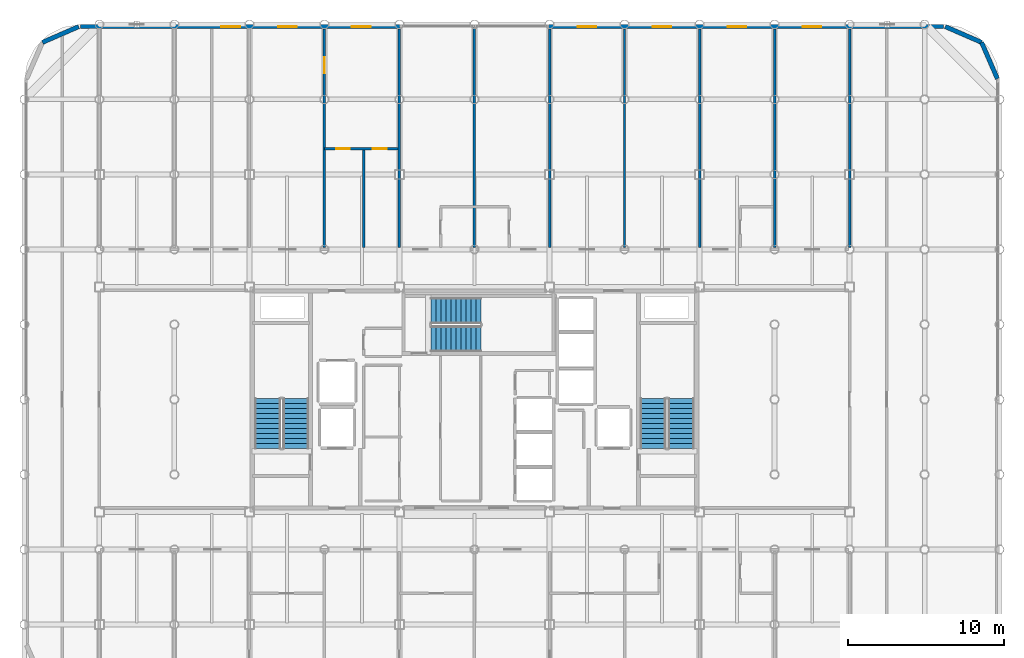
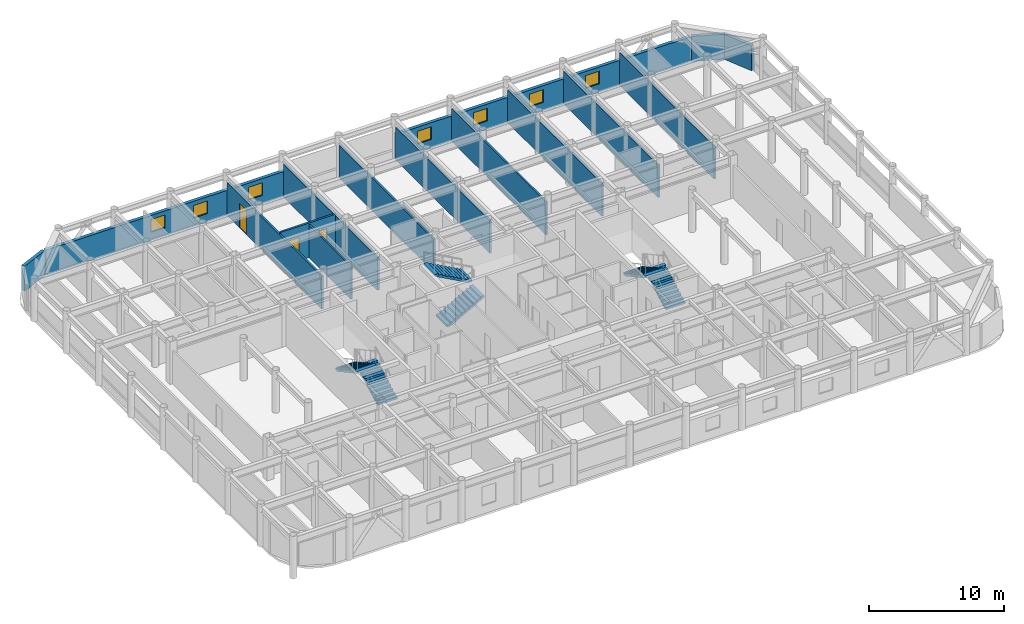
# One storey, part 22 of 23: 15 walls, 7 windows, 6 stair flights, 3 doors, 10 openings, 3 elements without a shape of their own.
"""IFC4 building model written with IfcOpenShell, lengths in metres."""

from ifc_helpers import new_model, si_unit, direction, frame, frame_2d, origin, place, context, subcontext, project, spatial, polyline, rectangle, outline, extrude, material, layer, layer_set, type_object, element, fill, aggregate, save


model = new_model("IFC4")

# Units and contexts
model_context = context("Model", 3, precision=1e-05, world=origin(), true_north=direction((0.0, 1.0)))
body_context = subcontext(model_context, "Body", "Model", "MODEL_VIEW")
ifc_project = project(units=[si_unit("LENGTHUNIT", "METRE"), si_unit("AREAUNIT", "SQUARE_METRE"), si_unit("VOLUMEUNIT", "CUBIC_METRE"), si_unit("PLANEANGLEUNIT", "RADIAN"), si_unit("MASSUNIT", "GRAM", prefix="KILO")], contexts=[model_context])

# Site, building, storey
site_placement = place(None, origin())
site = spatial("IfcSite", under=ifc_project, at=site_placement, CompositionType="ELEMENT")
building_placement = place(site_placement, origin())
building = spatial("IfcBuilding", under=site, at=building_placement, Name="Kallvorn Hotel Tower", CompositionType="ELEMENT")
storey_placement = place(building_placement, frame((0.0, 0.0, 237.699951171875)))
storey = spatial("IfcBuildingStorey", under=building, at=storey_placement, Name="L59", CompositionType="ELEMENT", Elevation=237.699951171875)

# Wall, openings, doors
ifc_material_1 = material(Name="Fire-rated double-layer acoustic gypsum drywall EI 60")
ifc_layer_1 = layer(ifc_material_1, 0.159912109375)
ifc_layer_set_1 = layer_set([ifc_layer_1], Name="WL_DEMISE_160")
wall_type_1 = type_object("IfcWallType", Name="WL_DEMISE_160", PredefinedType="PARTITIONING", material=ifc_layer_set_1)
wall_1_placement = place(storey_placement, frame((-9.60009765625, 16.050048828125, 0.0), z_axis=(0.0, 0.0, 1.0), x_axis=(1.0, 0.0, 0.0)))
wall_1 = element("IfcWall", 1, at=wall_1_placement, inside=storey, type_object=wall_type_1, Name="L59 Suite 5906 Junior Bedroom Partition", PredefinedType="PARTITIONING", context=body_context, shape_type="SweptSolid", body=[
    extrude(rectangle(XDim=4.72021484375, YDim=0.159912109375, at=frame_2d((2.360107421875, 0.0))), origin(), (0.0, 0.0, 1.0), 3.1201171875),
])
opening_1_placement = place(wall_1_placement, frame((0.75, 0.0, 0.0)))
opening_1 = element("IfcOpeningElement", 2, at=opening_1_placement, cuts=wall_1, Name="Opening BD-I", PredefinedType="OPENING", context=body_context, shape_type="SweptSolid", body=[
    extrude(rectangle(XDim=0.860107421875, YDim=2.10009765625, at=frame_2d((0.43017578125, 1.050048828125))), frame((0.0, 0.094970703125, 0.0), z_axis=(0.0, -1.0, 0.0), x_axis=(1.0, 0.0, 0.0)), (0.0, 0.0, 1.0), 0.18994140625),
])
opening_2_placement = place(wall_1_placement, frame((3.090087890625, 0.0, 0.0)))
opening_2 = element("IfcOpeningElement", 3, at=opening_2_placement, cuts=wall_1, Name="Opening SVD1", PredefinedType="OPENING", context=body_context, shape_type="SweptSolid", body=[
    extrude(rectangle(XDim=0.89990234375, YDim=2.10009765625, at=frame_2d((0.449951171875, 1.050048828125))), frame((0.0, 0.094970703125, 0.0), z_axis=(0.0, -1.0, 0.0), x_axis=(1.0, 0.0, 0.0)), (0.0, 0.0, 1.0), 0.18994140625),
])
ifc_material_2 = material(Name="Solid-core walnut veneer fire-rated timber door leaf", Category="wood")
door_type_1 = type_object("IfcDoorType", Name="DR_BATH_860x2100", OperationType="NOTDEFINED", PredefinedType="DOOR", material=ifc_material_2)
door_1_placement = place(opening_1_placement, origin())
door_1 = element("IfcDoor", 4, at=door_1_placement, inside=storey, type_object=door_type_1, Name="L59 Suite 5906 En-Suite Bathroom Door", OperationType="SINGLE_SWING_LEFT", OverallHeight=2.10009765625, OverallWidth=0.860107421875, PredefinedType="DOOR", context=body_context, shape_type="SweptSolid", body=[
    extrude(rectangle(XDim=0.860107421875, YDim=2.10009765625, at=frame_2d((0.43017578125, 1.050048828125))), frame((0.0, 0.02490234375, 0.0), z_axis=(0.0, -1.0, 0.0), x_axis=(1.0, 0.0, 0.0)), (0.0, 0.0, 1.0), 0.050048828125),
])
fill(opening_1, door_1)
ifc_material_3 = material(Name="Galvanised painted steel fire-rated door assembly", Category="steel")
door_type_2 = type_object("IfcDoorType", Name="DR_SERV_900x2100", OperationType="NOTDEFINED", PredefinedType="DOOR", material=ifc_material_3)
door_2_placement = place(opening_2_placement, origin())
door_2 = element("IfcDoor", 5, at=door_2_placement, inside=storey, type_object=door_type_2, Name="L59 Suite 5906 Walk-In Dressing Closet Door", OperationType="SINGLE_SWING_LEFT", OverallHeight=2.10009765625, OverallWidth=0.89990234375, PredefinedType="DOOR", context=body_context, shape_type="SweptSolid", body=[
    extrude(rectangle(XDim=0.89990234375, YDim=2.10009765625, at=frame_2d((0.449951171875, 1.050048828125))), frame((0.0, 0.02490234375, 0.0), z_axis=(0.0, -1.0, 0.0), x_axis=(1.0, 0.0, 0.0)), (0.0, 0.0, 1.0), 0.050048828125),
])
fill(opening_2, door_2)

# Wall, opening, door
wall_2_placement = place(storey_placement, frame((-9.60009765625, 9.719970703125, 0.0), z_axis=(0.0, 0.0, 1.0), x_axis=(0.0, 1.0, 0.0)))
wall_2 = element("IfcWall", 6, at=wall_2_placement, inside=storey, type_object=wall_type_1, Name="L59 Suite 5906 Junior Living Salon Partition", PredefinedType="PARTITIONING", context=body_context, shape_type="SweptSolid", body=[
    extrude(rectangle(XDim=13.989990234375, YDim=0.159912109375, at=frame_2d((6.9951171875, 0.0))), origin(), (0.0, 0.0, 1.0), 2.969970703125),
])
opening_3_placement = place(wall_2_placement, frame((11.136962890625, 0.0, 0.0)))
opening_3 = element("IfcOpeningElement", 7, at=opening_3_placement, cuts=wall_2, Name="Opening GD2", PredefinedType="OPENING", context=body_context, shape_type="SweptSolid", body=[
    extrude(rectangle(XDim=1.050048828125, YDim=2.199951171875, at=frame_2d((0.52490234375, 1.10009765625))), frame((0.0, 0.094970703125, 0.0), z_axis=(0.0, -1.0, 0.0), x_axis=(1.0, 0.0, 0.0)), (0.0, 0.0, 1.0), 0.18994140625),
])
ifc_material_4 = material(Name="Solid-core walnut veneer fire-rated timber door leaf", Category="wood")
door_type_3 = type_object("IfcDoorType", Name="DR_SUITE_1050x2200", OperationType="NOTDEFINED", PredefinedType="DOOR", material=ifc_material_4)
door_3_placement = place(opening_3_placement, origin())
door_3 = element("IfcDoor", 8, at=door_3_placement, inside=storey, type_object=door_type_3, Name="L59 Suite 5906 Junior Bedroom Door", OperationType="SINGLE_SWING_RIGHT", OverallHeight=2.199951171875, OverallWidth=1.050048828125, PredefinedType="DOOR", context=body_context, shape_type="SweptSolid", body=[
    extrude(rectangle(XDim=1.050048828125, YDim=2.199951171875, at=frame_2d((0.52490234375, 1.10009765625))), frame((0.0, 0.02490234375, 0.0), z_axis=(0.0, -1.0, 0.0), x_axis=(1.0, 0.0, 0.0)), (0.0, 0.0, 1.0), 0.050048828125),
])
fill(opening_3, door_3)

# Walls
wall_3_placement = place(storey_placement, frame((-4.800048828125, 9.719970703125, 0.0), z_axis=(0.0, 0.0, 1.0), x_axis=(0.0, 1.0, 0.0)))
element("IfcWall", 9, at=wall_3_placement, inside=storey, type_object=wall_type_1, Name="L59 Suite 5907 Standard King Room Partition", PredefinedType="PARTITIONING", context=body_context, shape_type="SweptSolid", body=[
    extrude(rectangle(XDim=13.989990234375, YDim=0.159912109375, at=frame_2d((6.9951171875, 0.0))), origin(), (0.0, 0.0, 1.0), 2.969970703125),
])
wall_4_placement = place(storey_placement, frame((0.0, 9.719970703125, 0.0), z_axis=(0.0, 0.0, 1.0), x_axis=(0.0, 1.0, 0.0)))
element("IfcWall", 10, at=wall_4_placement, inside=storey, type_object=wall_type_1, Name="L59 Suite 5907 Standard King Room Partition", PredefinedType="PARTITIONING", context=body_context, shape_type="SweptSolid", body=[
    extrude(rectangle(XDim=14.074951171875, YDim=0.159912109375, at=frame_2d((7.03759765625, 0.0))), origin(), (0.0, 0.0, 1.0), 2.969970703125),
])
for number, where, z_axis, x_axis, name in (
    (11, (4.800048828125, 9.719970703125, 0.0), (0.0, 0.0, 1.0), (0.0, 1.0, 0.0), "L59 Suite 5908 Standard King Room Partition"),
    (12, (14.39990234375, 9.719970703125, 0.0), (0.0, 0.0, 1.0), (0.0, 1.0, 0.0), "L59 Suite 5909 Standard Twin Room Partition"),
    (13, (19.199951171875, 9.719970703125, 0.0), (0.0, 0.0, 1.0), (0.0, 1.0, 0.0), "L59 Suite 5909 Standard Twin Room Partition"),
):
    element("IfcWall", number, at=place(storey_placement, frame(where, z_axis=z_axis, x_axis=x_axis)), inside=storey, type_object=wall_type_1, Name=name, PredefinedType="PARTITIONING", context=body_context, shape_type="SweptSolid", body=[
        extrude(rectangle(XDim=13.989990234375, YDim=0.159912109375, at=frame_2d((6.9951171875, 0.0))), origin(), (0.0, 0.0, 1.0), 2.969970703125),
    ])
ifc_material_5 = material(Name="Precast basalt-clad insulated concrete wall C40/50", Category="masonry")
ifc_layer_2 = layer(ifc_material_5, 0.280029296875)
ifc_layer_set_2 = layer_set([ifc_layer_2], Name="WL_EXT_LOGGIA_280")
wall_type_2 = type_object("IfcWallType", Name="WL_EXT_LOGGIA_280", PredefinedType="SOLIDWALL", material=ifc_layer_set_2)
wall_5_placement = place(storey_placement, frame((33.4580078125, 20.520751953125, 0.0), z_axis=(0.0, 0.0, 1.0), x_axis=(-0.398792985289, 0.917040977756, 0.0)))
element("IfcWall", 14, at=wall_5_placement, inside=storey, type_object=wall_type_2, Name="L59 Rounded Corner Exterior Wall NE1", PredefinedType="SOLIDWALL", context=body_context, shape_type="SweptSolid", body=[
    extrude(rectangle(XDim=2.536376953125, YDim=0.280029296875, at=frame_2d((1.26806640625, 0.0))), origin(), (0.0, 0.0, 1.0), 2.27001953125),
])
for number, where, z_axis, x_axis, name in (
    (15, (32.446533203125, 22.8466796875, 0.0), (0.0, 0.0, 1.0), (-0.917060872934, 0.398747232384, 0.0), "L59 Rounded Corner Exterior Wall NE2"),
    (16, (-25.32080078125, 23.85791015625, 0.0), (0.0, 0.0, 1.0), (-0.917060872934, -0.398747232384, 0.0), "L59 Rounded Corner Exterior Wall NW1"),
):
    element("IfcWall", number, at=place(storey_placement, frame(where, z_axis=z_axis, x_axis=x_axis)), inside=storey, type_object=wall_type_2, Name=name, PredefinedType="SOLIDWALL", context=body_context, shape_type="SweptSolid", body=[
        extrude(rectangle(XDim=2.5361328125, YDim=0.280029296875, at=frame_2d((1.26806640625, 0.0))), origin(), (0.0, 0.0, 1.0), 2.27001953125),
    ])

# Wall, openings, windows
wall_6_placement = place(storey_placement, frame((-25.199951171875, 23.860107421875, 0.0), z_axis=(0.0, 0.0, 1.0), x_axis=(1.0, 0.0, 0.0)))
wall_6 = element("IfcWall", 17, at=wall_6_placement, inside=storey, type_object=wall_type_2, Name="L59 Exterior Envelope Wall EW-L59-NW", PredefinedType="SOLIDWALL", context=body_context, shape_type="SweptSolid", body=[
    extrude(rectangle(XDim=20.449951171875, YDim=0.280029296875, at=frame_2d((10.22509765625, 0.0))), origin(), (0.0, 0.0, 1.0), 2.27001953125),
])
opening_4_placement = place(wall_6_placement, frame((9.0, 0.0, 0.75)))
opening_4 = element("IfcOpeningElement", 18, at=opening_4_placement, cuts=wall_6, Name="Opening W06A", PredefinedType="OPENING", context=body_context, shape_type="SweptSolid", body=[
    extrude(rectangle(XDim=1.199951171875, YDim=1.14990234375, at=frame_2d((0.60009765625, 0.574951171875))), frame((0.0, 0.155029296875, 0.0), z_axis=(0.0, -1.0, 0.0), x_axis=(1.0, 0.0, 0.0)), (0.0, 0.0, 1.0), 0.31005859375),
])
opening_5_placement = place(wall_6_placement, frame((12.639892578125, 0.0, 0.75)))
opening_5 = element("IfcOpeningElement", 19, at=opening_5_placement, cuts=wall_6, Name="Opening W06A", PredefinedType="OPENING", context=body_context, shape_type="SweptSolid", body=[
    extrude(rectangle(XDim=1.199951171875, YDim=1.14990234375, at=frame_2d((0.60009765625, 0.574951171875))), frame((0.0, 0.155029296875, 0.0), z_axis=(0.0, -1.0, 0.0), x_axis=(1.0, 0.0, 0.0)), (0.0, 0.0, 1.0), 0.31005859375),
])
opening_6_placement = place(wall_6_placement, frame((17.360107421875, 0.0, 0.75)))
opening_6 = element("IfcOpeningElement", 20, at=opening_6_placement, cuts=wall_6, Name="Opening W06A", PredefinedType="OPENING", context=body_context, shape_type="SweptSolid", body=[
    extrude(rectangle(XDim=1.199951171875, YDim=1.14990234375, at=frame_2d((0.60009765625, 0.574951171875))), frame((0.0, 0.155029296875, 0.0), z_axis=(0.0, -1.0, 0.0), x_axis=(1.0, 0.0, 0.0)), (0.0, 0.0, 1.0), 0.31005859375),
])
ifc_material_6 = material(Name="Triple-glazed low-e acoustic solar-control dark glass", Category="glass")
window_type = type_object("IfcWindowType", Name="WN_HTL_1200x1150", PartitioningType="SINGLE_PANEL", PredefinedType="WINDOW", material=ifc_material_6)
window_1_placement = place(opening_4_placement, origin())
window_1 = element("IfcWindow", 21, at=window_1_placement, inside=storey, type_object=window_type, Name="L59 Guestroom Exterior Window 09", OverallHeight=1.14990234375, OverallWidth=1.199951171875, PartitioningType="SINGLE_PANEL", PredefinedType="WINDOW", context=body_context, shape_type="SweptSolid", body=[
    extrude(rectangle(XDim=1.199951171875, YDim=1.14990234375, at=frame_2d((0.60009765625, 0.574951171875))), frame((0.0, 0.030029296875, 0.0), z_axis=(0.0, -1.0, 0.0), x_axis=(1.0, 0.0, 0.0)), (0.0, 0.0, 1.0), 0.06005859375),
])
fill(opening_4, window_1)
window_2_placement = place(opening_5_placement, origin())
window_2 = element("IfcWindow", 22, at=window_2_placement, inside=storey, type_object=window_type, Name="L59 Guestroom Exterior Window 10", OverallHeight=1.14990234375, OverallWidth=1.199951171875, PartitioningType="SINGLE_PANEL", PredefinedType="WINDOW", context=body_context, shape_type="SweptSolid", body=[
    extrude(rectangle(XDim=1.199951171875, YDim=1.14990234375, at=frame_2d((0.60009765625, 0.574951171875))), frame((0.0, 0.030029296875, 0.0), z_axis=(0.0, -1.0, 0.0), x_axis=(1.0, 0.0, 0.0)), (0.0, 0.0, 1.0), 0.06005859375),
])
fill(opening_5, window_2)
window_3_placement = place(opening_6_placement, origin())
window_3 = element("IfcWindow", 23, at=window_3_placement, inside=storey, type_object=window_type, Name="L59 Guestroom Exterior Window 11", OverallHeight=1.14990234375, OverallWidth=1.199951171875, PartitioningType="SINGLE_PANEL", PredefinedType="WINDOW", context=body_context, shape_type="SweptSolid", body=[
    extrude(rectangle(XDim=1.199951171875, YDim=1.14990234375, at=frame_2d((0.60009765625, 0.574951171875))), frame((0.0, 0.030029296875, 0.0), z_axis=(0.0, -1.0, 0.0), x_axis=(1.0, 0.0, 0.0)), (0.0, 0.0, 1.0), 0.06005859375),
])
fill(opening_6, window_3)

wall_7_placement = place(storey_placement, frame((4.75, 23.860107421875, 0.0), z_axis=(0.0, 0.0, 1.0), x_axis=(1.0, 0.0, 0.0)))
wall_7 = element("IfcWall", 24, at=wall_7_placement, inside=storey, type_object=wall_type_2, Name="L59 Exterior Envelope Wall EW-L59-NE", PredefinedType="SOLIDWALL", context=body_context, shape_type="SweptSolid", body=[
    extrude(rectangle(XDim=25.25, YDim=0.280029296875, at=frame_2d((12.625, 0.0))), origin(), (0.0, 0.0, 1.0), 2.27001953125),
])
opening_7_placement = place(wall_7_placement, frame((16.25, 0.0, 0.75)))
opening_7 = element("IfcOpeningElement", 25, at=opening_7_placement, cuts=wall_7, Name="Opening W06A", PredefinedType="OPENING", context=body_context, shape_type="SweptSolid", body=[
    extrude(rectangle(XDim=1.199951171875, YDim=1.14990234375, at=frame_2d((0.60009765625, 0.574951171875))), frame((0.0, 0.155029296875, 0.0), z_axis=(0.0, -1.0, 0.0), x_axis=(1.0, 0.0, 0.0)), (0.0, 0.0, 1.0), 0.31005859375),
])
opening_8_placement = place(wall_7_placement, frame((1.85009765625, 0.0, 0.75)))
opening_8 = element("IfcOpeningElement", 26, at=opening_8_placement, cuts=wall_7, Name="Opening W06A", PredefinedType="OPENING", context=body_context, shape_type="SweptSolid", body=[
    extrude(rectangle(XDim=1.199951171875, YDim=1.14990234375, at=frame_2d((0.60009765625, 0.574951171875))), frame((0.0, 0.155029296875, 0.0), z_axis=(0.0, -1.0, 0.0), x_axis=(1.0, 0.0, 0.0)), (0.0, 0.0, 1.0), 0.31005859375),
])
opening_9_placement = place(wall_7_placement, frame((6.64990234375, 0.0, 0.75)))
opening_9 = element("IfcOpeningElement", 27, at=opening_9_placement, cuts=wall_7, Name="Opening W06A", PredefinedType="OPENING", context=body_context, shape_type="SweptSolid", body=[
    extrude(rectangle(XDim=1.199951171875, YDim=1.14990234375, at=frame_2d((0.60009765625, 0.574951171875))), frame((0.0, 0.155029296875, 0.0), z_axis=(0.0, -1.0, 0.0), x_axis=(1.0, 0.0, 0.0)), (0.0, 0.0, 1.0), 0.31005859375),
])
opening_10_placement = place(wall_7_placement, frame((11.449951171875, 0.0, 0.75)))
opening_10 = element("IfcOpeningElement", 28, at=opening_10_placement, cuts=wall_7, Name="Opening W06A", PredefinedType="OPENING", context=body_context, shape_type="SweptSolid", body=[
    extrude(rectangle(XDim=1.199951171875, YDim=1.14990234375, at=frame_2d((0.60009765625, 0.574951171875))), frame((0.0, 0.155029296875, 0.0), z_axis=(0.0, -1.0, 0.0), x_axis=(1.0, 0.0, 0.0)), (0.0, 0.0, 1.0), 0.31005859375),
])
window_4_placement = place(opening_7_placement, origin())
window_4 = element("IfcWindow", 29, at=window_4_placement, inside=storey, type_object=window_type, Name="L59 Guestroom Exterior Window 02", OverallHeight=1.14990234375, OverallWidth=1.199951171875, PartitioningType="SINGLE_PANEL", PredefinedType="WINDOW", context=body_context, shape_type="SweptSolid", body=[
    extrude(rectangle(XDim=1.199951171875, YDim=1.14990234375, at=frame_2d((0.60009765625, 0.574951171875))), frame((0.0, 0.030029296875, 0.0), z_axis=(0.0, -1.0, 0.0), x_axis=(1.0, 0.0, 0.0)), (0.0, 0.0, 1.0), 0.06005859375),
])
fill(opening_7, window_4)
window_5_placement = place(opening_8_placement, origin())
window_5 = element("IfcWindow", 30, at=window_5_placement, inside=storey, type_object=window_type, Name="L59 Guestroom Exterior Window 12", OverallHeight=1.14990234375, OverallWidth=1.199951171875, PartitioningType="SINGLE_PANEL", PredefinedType="WINDOW", context=body_context, shape_type="SweptSolid", body=[
    extrude(rectangle(XDim=1.199951171875, YDim=1.14990234375, at=frame_2d((0.60009765625, 0.574951171875))), frame((0.0, 0.030029296875, 0.0), z_axis=(0.0, -1.0, 0.0), x_axis=(1.0, 0.0, 0.0)), (0.0, 0.0, 1.0), 0.06005859375),
])
fill(opening_8, window_5)
window_6_placement = place(opening_9_placement, origin())
window_6 = element("IfcWindow", 31, at=window_6_placement, inside=storey, type_object=window_type, Name="L59 Guestroom Exterior Window 13", OverallHeight=1.14990234375, OverallWidth=1.199951171875, PartitioningType="SINGLE_PANEL", PredefinedType="WINDOW", context=body_context, shape_type="SweptSolid", body=[
    extrude(rectangle(XDim=1.199951171875, YDim=1.14990234375, at=frame_2d((0.60009765625, 0.574951171875))), frame((0.0, 0.030029296875, 0.0), z_axis=(0.0, -1.0, 0.0), x_axis=(1.0, 0.0, 0.0)), (0.0, 0.0, 1.0), 0.06005859375),
])
fill(opening_9, window_6)
window_7_placement = place(opening_10_placement, origin())
window_7 = element("IfcWindow", 32, at=window_7_placement, inside=storey, type_object=window_type, Name="L59 Guestroom Exterior Window 14", OverallHeight=1.14990234375, OverallWidth=1.199951171875, PartitioningType="SINGLE_PANEL", PredefinedType="WINDOW", context=body_context, shape_type="SweptSolid", body=[
    extrude(rectangle(XDim=1.199951171875, YDim=1.14990234375, at=frame_2d((0.60009765625, 0.574951171875))), frame((0.0, 0.030029296875, 0.0), z_axis=(0.0, -1.0, 0.0), x_axis=(1.0, 0.0, 0.0)), (0.0, 0.0, 1.0), 0.06005859375),
])
fill(opening_10, window_7)

# Walls
ifc_material_7 = material(Name="Fire-rated double-layer acoustic gypsum drywall EI 60")
ifc_layer_3 = layer(ifc_material_7, 0.14990234375)
ifc_layer_set_3 = layer_set([ifc_layer_3], Name="WL_PART_150")
wall_type_3 = type_object("IfcWallType", Name="WL_PART_150", PredefinedType="PARTITIONING", material=ifc_layer_set_3)
wall_8_placement = place(storey_placement, frame((-7.095947265625, 9.719970703125, 0.0), z_axis=(0.0, 0.0, 1.0), x_axis=(0.0, 1.0, 0.0)))
element("IfcWall", 33, at=wall_8_placement, inside=storey, type_object=wall_type_3, Name="L59 Suite 5906 Walk-In Dressing Closet Partition", PredefinedType="PARTITIONING", context=body_context, shape_type="SweptSolid", body=[
    extrude(rectangle(XDim=6.2451171875, YDim=0.14990234375, at=frame_2d((3.12255859375, 0.0))), origin(), (0.0, 0.0, 1.0), 2.969970703125),
])
for number, where, z_axis, x_axis, name in (
    (34, (9.60009765625, 9.719970703125, 0.0), (0.0, 0.0, 1.0), (0.0, 1.0, 0.0), "L59 L59 Diplomatic Summit Conference Boardroom 5-1 Partition"),
    (35, (24.0, 9.719970703125, 0.0), (0.0, 0.0, 1.0), (0.0, 1.0, 0.0), "L59 L59 High-Zone North-East Pastry Bar Partition"),
):
    element("IfcWall", number, at=place(storey_placement, frame(where, z_axis=z_axis, x_axis=x_axis)), inside=storey, type_object=wall_type_3, Name=name, PredefinedType="PARTITIONING", context=body_context, shape_type="SweptSolid", body=[
        extrude(rectangle(XDim=13.989990234375, YDim=0.14990234375, at=frame_2d((6.9951171875, 0.0))), origin(), (0.0, 0.0, 1.0), 2.969970703125),
    ])

# Stair, stair flights
ifc_material_8 = material(Name="Precast concrete C40/50", Category="concrete")
stair_type = type_object("IfcStairType", Name="STR_CORE_DOGLEG", PredefinedType="HALF_TURN_STAIR", material=ifc_material_8)
stair_1_placement = place(storey_placement, origin())
stair_1 = element("IfcStair", 36, at=stair_1_placement, inside=storey, type_object=stair_type, Name="L59 Exit stair ST1", PredefinedType="HALF_TURN_STAIR")
ifc_material_9 = material(Name="Precast concrete C40/50", Category="concrete")
stair_flight_type = type_object("IfcStairFlightType", Name="FLT_CORE_1660", PredefinedType="STRAIGHT", material=ifc_material_9)
stair_flight_1_placement = place(storey_placement, frame((-11.429931640625, -3.139892578125, 0.0), z_axis=(0.0, 0.0, 1.0), x_axis=(0.0, 1.0, 0.0)))
stair_flight_1 = element("IfcStairFlight", 37, at=stair_flight_1_placement, type_object=stair_flight_type, Name="ST1 flight 1", NumberOfRisers=11, NumberOfTreads=10, PredefinedType="STRAIGHT", RiserHeight=0.175, TreadLength=0.32, context=body_context, shape_type="SweptSolid", body=[
    extrude(outline(polyline([(0.0, 0.0), (0.0, 0.175048828125), (0.320068359375, 0.175048828125), (0.320068359375, 0.35009765625), (0.639892578125, 0.35009765625), (0.639892578125, 0.52490234375), (0.9599609375, 0.52490234375), (0.9599609375, 0.699951171875), (1.280029296875, 0.699951171875), (1.280029296875, 0.875), (1.60009765625, 0.875), (1.60009765625, 1.050048828125), (1.919921875, 1.050048828125), (1.919921875, 1.22509765625), (2.239990234375, 1.22509765625), (2.239990234375, 1.39990234375), (2.56005859375, 1.39990234375), (2.56005859375, 1.574951171875), (2.8798828125, 1.574951171875), (2.8798828125, 1.75), (3.199951171875, 1.75), (3.199951171875, 1.925048828125), (3.199951171875, 1.5791015625), (0.3125, 0.0), (0.0, 0.0)])), frame((0.0, 0.830078125, 0.0), z_axis=(0.0, -1.0, 0.0), x_axis=(1.0, 0.0, 0.0)), (0.0, 0.0, 1.0), 1.659912109375),
])
stair_flight_2_placement = place(storey_placement, frame((-13.22998046875, 0.06005859375, 1.925048828125), z_axis=(0.0, 0.0, 1.0), x_axis=(0.0, -1.0, 0.0)))
stair_flight_2 = element("IfcStairFlight", 38, at=stair_flight_2_placement, type_object=stair_flight_type, Name="ST1 flight 2", NumberOfRisers=11, NumberOfTreads=10, PredefinedType="STRAIGHT", RiserHeight=0.175, TreadLength=0.32, context=body_context, shape_type="SweptSolid", body=[
    extrude(outline(polyline([(0.0, 0.0), (0.0, 0.175048828125), (0.320068359375, 0.175048828125), (0.320068359375, 0.35009765625), (0.639892578125, 0.35009765625), (0.639892578125, 0.52490234375), (0.9599609375, 0.52490234375), (0.9599609375, 0.699951171875), (1.280029296875, 0.699951171875), (1.280029296875, 0.875), (1.60009765625, 0.875), (1.60009765625, 1.050048828125), (1.919921875, 1.050048828125), (1.919921875, 1.22509765625), (2.239990234375, 1.22509765625), (2.239990234375, 1.39990234375), (2.56005859375, 1.39990234375), (2.56005859375, 1.574951171875), (2.8798828125, 1.574951171875), (2.8798828125, 1.75), (3.199951171875, 1.75), (3.199951171875, 1.925048828125), (3.199951171875, 1.5791015625), (0.3125, 0.0), (0.0, 0.0)])), frame((0.0, 0.830078125, 0.0), z_axis=(0.0, -1.0, 0.0), x_axis=(1.0, 0.0, 0.0)), (0.0, 0.0, 1.0), 1.659912109375),
])
aggregate(stair_1, [stair_flight_1, stair_flight_2])

stair_2_placement = place(storey_placement, origin())
stair_2 = element("IfcStair", 39, at=stair_2_placement, inside=storey, type_object=stair_type, Name="L59 Exit stair ST2", PredefinedType="HALF_TURN_STAIR")
stair_flight_3_placement = place(storey_placement, frame((13.22998046875, -3.139892578125, 0.0), z_axis=(0.0, 0.0, 1.0), x_axis=(0.0, 1.0, 0.0)))
stair_flight_3 = element("IfcStairFlight", 40, at=stair_flight_3_placement, type_object=stair_flight_type, Name="ST2 flight 1", NumberOfRisers=11, NumberOfTreads=10, PredefinedType="STRAIGHT", RiserHeight=0.175, TreadLength=0.32, context=body_context, shape_type="SweptSolid", body=[
    extrude(outline(polyline([(0.0, 0.0), (0.0, 0.175048828125), (0.320068359375, 0.175048828125), (0.320068359375, 0.35009765625), (0.639892578125, 0.35009765625), (0.639892578125, 0.52490234375), (0.9599609375, 0.52490234375), (0.9599609375, 0.699951171875), (1.280029296875, 0.699951171875), (1.280029296875, 0.875), (1.60009765625, 0.875), (1.60009765625, 1.050048828125), (1.919921875, 1.050048828125), (1.919921875, 1.22509765625), (2.239990234375, 1.22509765625), (2.239990234375, 1.39990234375), (2.56005859375, 1.39990234375), (2.56005859375, 1.574951171875), (2.8798828125, 1.574951171875), (2.8798828125, 1.75), (3.199951171875, 1.75), (3.199951171875, 1.925048828125), (3.199951171875, 1.5791015625), (0.3125, 0.0), (0.0, 0.0)])), frame((0.0, 0.830078125, 0.0), z_axis=(0.0, -1.0, 0.0), x_axis=(1.0, 0.0, 0.0)), (0.0, 0.0, 1.0), 1.659912109375),
])
stair_flight_4_placement = place(storey_placement, frame((11.429931640625, 0.06005859375, 1.925048828125), z_axis=(0.0, 0.0, 1.0), x_axis=(0.0, -1.0, 0.0)))
stair_flight_4 = element("IfcStairFlight", 41, at=stair_flight_4_placement, type_object=stair_flight_type, Name="ST2 flight 2", NumberOfRisers=11, NumberOfTreads=10, PredefinedType="STRAIGHT", RiserHeight=0.175, TreadLength=0.32, context=body_context, shape_type="SweptSolid", body=[
    extrude(outline(polyline([(0.0, 0.0), (0.0, 0.175048828125), (0.320068359375, 0.175048828125), (0.320068359375, 0.35009765625), (0.639892578125, 0.35009765625), (0.639892578125, 0.52490234375), (0.9599609375, 0.52490234375), (0.9599609375, 0.699951171875), (1.280029296875, 0.699951171875), (1.280029296875, 0.875), (1.60009765625, 0.875), (1.60009765625, 1.050048828125), (1.919921875, 1.050048828125), (1.919921875, 1.22509765625), (2.239990234375, 1.22509765625), (2.239990234375, 1.39990234375), (2.56005859375, 1.39990234375), (2.56005859375, 1.574951171875), (2.8798828125, 1.574951171875), (2.8798828125, 1.75), (3.199951171875, 1.75), (3.199951171875, 1.925048828125), (3.199951171875, 1.5791015625), (0.3125, 0.0), (0.0, 0.0)])), frame((0.0, 0.830078125, 0.0), z_axis=(0.0, -1.0, 0.0), x_axis=(1.0, 0.0, 0.0)), (0.0, 0.0, 1.0), 1.659912109375),
])
aggregate(stair_2, [stair_flight_3, stair_flight_4])

stair_3_placement = place(storey_placement, origin())
stair_3 = element("IfcStair", 42, at=stair_3_placement, inside=storey, type_object=stair_type, Name="L59 Exit stair ST3", PredefinedType="HALF_TURN_STAIR")
stair_flight_5_placement = place(storey_placement, frame((-2.7900390625, 3.8798828125, 0.0), z_axis=(0.0, 0.0, 1.0), x_axis=(1.0, 0.0, 0.0)))
stair_flight_5 = element("IfcStairFlight", 43, at=stair_flight_5_placement, type_object=stair_flight_type, Name="ST3 flight 1", NumberOfRisers=11, NumberOfTreads=10, PredefinedType="STRAIGHT", RiserHeight=0.175, TreadLength=0.32, context=body_context, shape_type="SweptSolid", body=[
    extrude(outline(polyline([(0.0, 0.0), (0.0, 0.175048828125), (0.320068359375, 0.175048828125), (0.320068359375, 0.35009765625), (0.639892578125, 0.35009765625), (0.639892578125, 0.52490234375), (0.9599609375, 0.52490234375), (0.9599609375, 0.699951171875), (1.280029296875, 0.699951171875), (1.280029296875, 0.875), (1.60009765625, 0.875), (1.60009765625, 1.050048828125), (1.919921875, 1.050048828125), (1.919921875, 1.22509765625), (2.239990234375, 1.22509765625), (2.239990234375, 1.39990234375), (2.56005859375, 1.39990234375), (2.56005859375, 1.574951171875), (2.8798828125, 1.574951171875), (2.8798828125, 1.75), (3.199951171875, 1.75), (3.199951171875, 1.925048828125), (3.199951171875, 1.5791015625), (0.3125, 0.0), (0.0, 0.0)])), frame((0.0, 0.830078125, 0.0), z_axis=(0.0, -1.0, 0.0), x_axis=(1.0, 0.0, 0.0)), (0.0, 0.0, 1.0), 1.659912109375),
])
stair_flight_6_placement = place(storey_placement, frame((0.409912109375, 5.679931640625, 1.925048828125), z_axis=(0.0, 0.0, 1.0), x_axis=(-1.0, 0.0, 0.0)))
stair_flight_6 = element("IfcStairFlight", 44, at=stair_flight_6_placement, type_object=stair_flight_type, Name="ST3 flight 2", NumberOfRisers=11, NumberOfTreads=10, PredefinedType="STRAIGHT", RiserHeight=0.175, TreadLength=0.32, context=body_context, shape_type="SweptSolid", body=[
    extrude(outline(polyline([(0.0, 0.0), (0.0, 0.175048828125), (0.320068359375, 0.175048828125), (0.320068359375, 0.35009765625), (0.639892578125, 0.35009765625), (0.639892578125, 0.52490234375), (0.9599609375, 0.52490234375), (0.9599609375, 0.699951171875), (1.280029296875, 0.699951171875), (1.280029296875, 0.875), (1.60009765625, 0.875), (1.60009765625, 1.050048828125), (1.919921875, 1.050048828125), (1.919921875, 1.22509765625), (2.239990234375, 1.22509765625), (2.239990234375, 1.39990234375), (2.56005859375, 1.39990234375), (2.56005859375, 1.574951171875), (2.8798828125, 1.574951171875), (2.8798828125, 1.75), (3.199951171875, 1.75), (3.199951171875, 1.925048828125), (3.199951171875, 1.5791015625), (0.3125, 0.0), (0.0, 0.0)])), frame((0.0, 0.830078125, 0.0), z_axis=(0.0, -1.0, 0.0), x_axis=(1.0, 0.0, 0.0)), (0.0, 0.0, 1.0), 1.659912109375),
])
aggregate(stair_3, [stair_flight_5, stair_flight_6])

save(model, "model.ifc")
